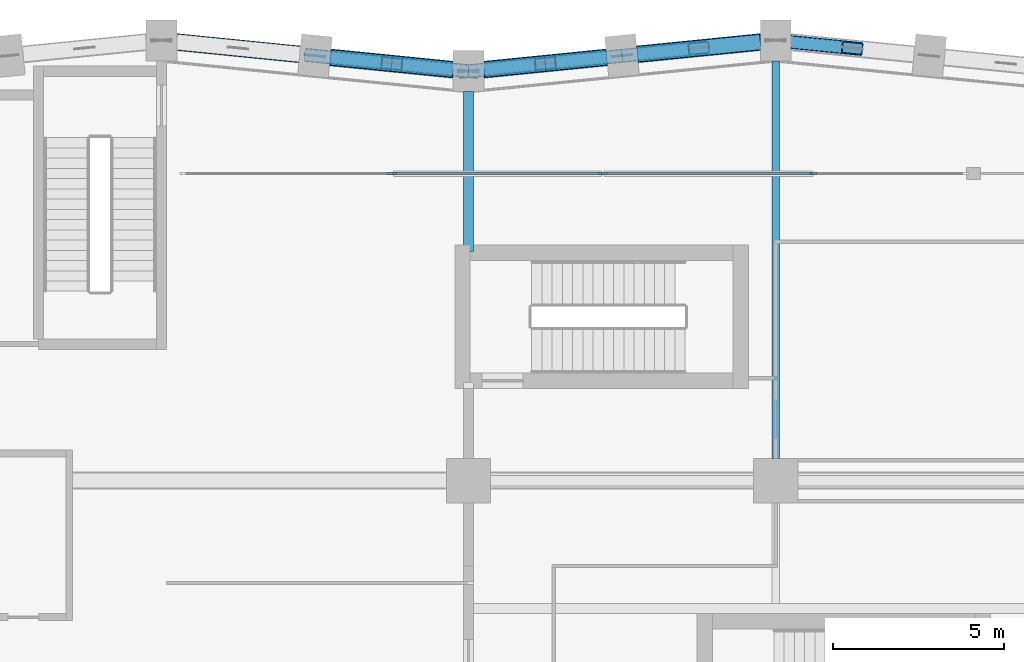
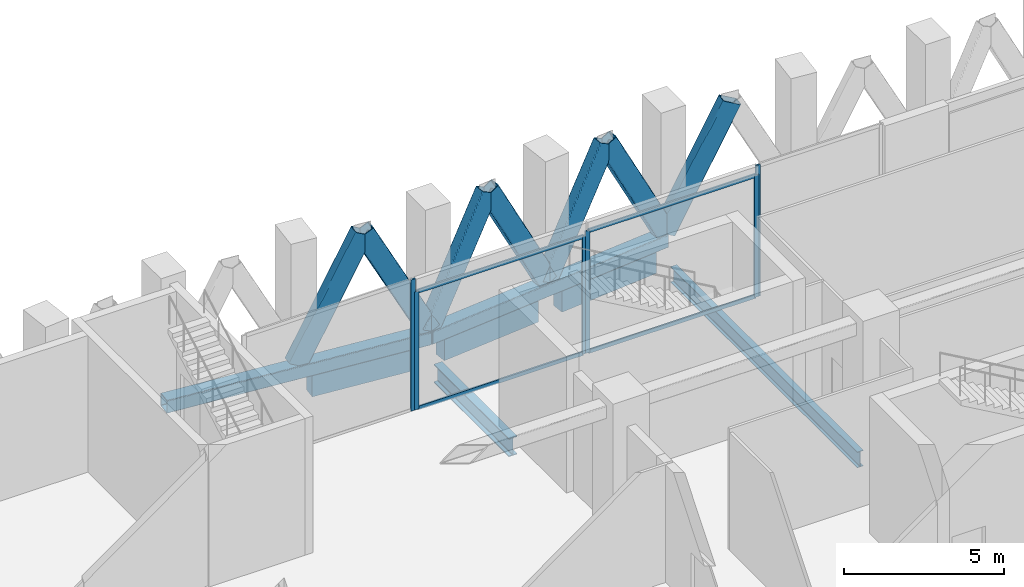
# One storey, part 15 of 37: 19 members, 5 beams, 4 elements without a shape of their own.
"""IFC4 building model written with IfcOpenShell, lengths in metres."""

from ifc_helpers import new_model, si_unit, direction, frame, origin, origin_2d, place, context, subcontext, project, spatial, rectangle, hollow_rectangle, i_section, extrude, material, material_profile, profile_set, type_object, element, aggregate, save


model = new_model("IFC4")

# Units and contexts
model_context = context("Model", 3, precision=1e-05, world=origin(), true_north=direction((0.0, 1.0)))
body_context = subcontext(model_context, "Body", "Model", "MODEL_VIEW")
ifc_project = project(units=[si_unit("LENGTHUNIT", "METRE"), si_unit("AREAUNIT", "SQUARE_METRE"), si_unit("VOLUMEUNIT", "CUBIC_METRE"), si_unit("PLANEANGLEUNIT", "RADIAN"), si_unit("MASSUNIT", "GRAM", prefix="KILO")], contexts=[model_context])

# Site, building, storey
site_placement = place(None, origin())
site = spatial("IfcSite", under=ifc_project, at=site_placement, CompositionType="ELEMENT")
building_placement = place(site_placement, origin())
building = spatial("IfcBuilding", under=site, at=building_placement, Name="Brondeck Convention Tower", CompositionType="ELEMENT")
storey_placement = place(building_placement, frame((0.0, 0.0, 137.89990234375)))
storey = spatial("IfcBuildingStorey", under=building, at=storey_placement, Name="L33", CompositionType="ELEMENT", Elevation=137.89990234375)

# Curtain wall, member
ifc_material_1 = material(Name="Aluminium, bronze anodised", Category="aluminium")
curtain_wall_type = type_object("IfcCurtainWallType", Name="Sky lobby curtain wall", PredefinedType="NOTDEFINED", material=ifc_material_1)
curtain_wall_1_placement = place(storey_placement, origin())
curtain_wall_1 = element("IfcCurtainWall", 1, at=curtain_wall_1_placement, inside=storey, type_object=curtain_wall_type, Name="ENV-L33-027-CW30", PredefinedType="NOTDEFINED")
ifc_material_profile_1 = material_profile(ifc_material_1, rectangle(XDim=0.06005859375, YDim=0.159912109375, at=origin_2d()), Name="CW3 mullion")
ifc_profile_set_1 = profile_set([ifc_material_profile_1], Name="Aluminium, bronze anodised")
member_type_1 = type_object("IfcMemberType", Name="CW3 mullion", PredefinedType="MULLION", material=ifc_profile_set_1)
member_1_placement = place(storey_placement, frame((46.1298828125, 60.0, 0.0), z_axis=(0.0, 0.0, 1.0), x_axis=(0.0, 1.0, 0.0)))
member_1 = element("IfcMember", 2, at=member_1_placement, type_object=member_type_1, Name="CW3 mullion 1", PredefinedType="MULLION", context=body_context, shape_type="SweptSolid", body=[
    extrude(rectangle(XDim=0.06005859375, YDim=0.159912109375, at=origin_2d()), origin(), (0.0, 0.0, 1.0), 5.0),
])
aggregate(curtain_wall_1, [member_1])

# Curtain wall, members
curtain_wall_2_placement = place(storey_placement, origin())
curtain_wall_2 = element("IfcCurtainWall", 3, at=curtain_wall_2_placement, inside=storey, type_object=curtain_wall_type, Name="ENV-L33-028-CW30", PredefinedType="NOTDEFINED")
member_2_placement = place(storey_placement, frame((39.993408203125, 60.0, 0.0), z_axis=(0.0, 0.0, 1.0), x_axis=(0.0, 1.0, 0.0)))
member_2 = element("IfcMember", 4, at=member_2_placement, type_object=member_type_1, Name="CW3 mullion 1", PredefinedType="MULLION", context=body_context, shape_type="SweptSolid", body=[
    extrude(rectangle(XDim=0.06005859375, YDim=0.159912109375, at=origin_2d()), origin(), (0.0, 0.0, 1.0), 4.650146484375),
])
member_3_placement = place(storey_placement, frame((46.070068359375, 60.0, 0.0), z_axis=(0.0, 0.0, 1.0), x_axis=(0.0, 1.0, 0.0)))
member_3 = element("IfcMember", 5, at=member_3_placement, type_object=member_type_1, Name="CW3 mullion 2", PredefinedType="MULLION", context=body_context, shape_type="SweptSolid", body=[
    extrude(rectangle(XDim=0.06005859375, YDim=0.159912109375, at=origin_2d()), origin(), (0.0, 0.0, 1.0), 4.650146484375),
])

curtain_wall_3_placement = place(storey_placement, origin())
curtain_wall_3 = element("IfcCurtainWall", 6, at=curtain_wall_3_placement, inside=storey, type_object=curtain_wall_type, Name="ENV-L33-028-CW31", PredefinedType="NOTDEFINED")
member_4_placement = place(storey_placement, frame((33.82666015625, 60.0, 0.0), z_axis=(0.0, 0.0, 1.0), x_axis=(0.0, 1.0, 0.0)))
member_4 = element("IfcMember", 7, at=member_4_placement, type_object=member_type_1, Name="CW3 mullion 1", PredefinedType="MULLION", context=body_context, shape_type="SweptSolid", body=[
    extrude(rectangle(XDim=0.06005859375, YDim=0.159912109375, at=origin_2d()), origin(), (0.0, 0.0, 1.0), 4.5),
])
member_5_placement = place(storey_placement, frame((39.873291015625, 60.0, 0.0), z_axis=(0.0, 0.0, 1.0), x_axis=(0.0, 1.0, 0.0)))
member_5 = element("IfcMember", 8, at=member_5_placement, type_object=member_type_1, Name="CW3 mullion 2", PredefinedType="MULLION", context=body_context, shape_type="SweptSolid", body=[
    extrude(rectangle(XDim=0.06005859375, YDim=0.159912109375, at=origin_2d()), origin(), (0.0, 0.0, 1.0), 4.5),
])

# Curtain wall, member
curtain_wall_4_placement = place(storey_placement, origin())
curtain_wall_4 = element("IfcCurtainWall", 9, at=curtain_wall_4_placement, inside=storey, type_object=curtain_wall_type, Name="ENV-L33-028-CW32", PredefinedType="NOTDEFINED")
member_6_placement = place(storey_placement, frame((33.706787109375, 60.0, 0.0), z_axis=(0.0, 0.0, 1.0), x_axis=(0.0, 1.0, 0.0)))
member_6 = element("IfcMember", 10, at=member_6_placement, type_object=member_type_1, Name="CW3 mullion 2", PredefinedType="MULLION", context=body_context, shape_type="SweptSolid", body=[
    extrude(rectangle(XDim=0.06005859375, YDim=0.159912109375, at=origin_2d()), origin(), (0.0, 0.0, 1.0), 5.0),
])
aggregate(curtain_wall_4, [member_6])

# Member
ifc_material_profile_2 = material_profile(ifc_material_1, rectangle(XDim=0.06005859375, YDim=0.139892578125, at=origin_2d()), Name="CW3 transom")
ifc_profile_set_2 = profile_set([ifc_material_profile_2], Name="Aluminium, bronze anodised")
member_type_2 = type_object("IfcMemberType", Name="CW3 transom", PredefinedType="USERDEFINED", material=ifc_profile_set_2)
member_7_placement = place(storey_placement, frame((40.023193359375, 60.0, 0.030029296875), z_axis=(1.0, 0.0, 0.0), x_axis=(0.0, 1.0, 0.0)))
member_7 = element("IfcMember", 11, at=member_7_placement, type_object=member_type_2, Name="CW3 transom 1.1", ObjectType="TRANSOM", PredefinedType="USERDEFINED", context=body_context, shape_type="SweptSolid", body=[
    extrude(rectangle(XDim=0.06005859375, YDim=0.139892578125, at=origin_2d()), origin(), (0.0, 0.0, 1.0), 6.016845703125),
])

member_8_placement = place(storey_placement, frame((40.023193359375, 60.0, 4.6201171875), z_axis=(1.0, 0.0, 0.0), x_axis=(0.0, 1.0, 0.0)))
member_8 = element("IfcMember", 12, at=member_8_placement, type_object=member_type_2, Name="CW3 transom 1.2", ObjectType="TRANSOM", PredefinedType="USERDEFINED", context=body_context, shape_type="SweptSolid", body=[
    extrude(rectangle(XDim=0.06005859375, YDim=0.139892578125, at=origin_2d()), origin(), (0.0, 0.0, 1.0), 6.016845703125),
])

aggregate(curtain_wall_2, [member_2, member_3, member_7, member_8])

member_9_placement = place(storey_placement, frame((33.856689453125, 60.0, 0.030029296875), z_axis=(1.0, 0.0, 0.0), x_axis=(0.0, 1.0, 0.0)))
member_9 = element("IfcMember", 13, at=member_9_placement, type_object=member_type_2, Name="CW3 transom 1.1", ObjectType="TRANSOM", PredefinedType="USERDEFINED", context=body_context, shape_type="SweptSolid", body=[
    extrude(rectangle(XDim=0.06005859375, YDim=0.139892578125, at=origin_2d()), origin(), (0.0, 0.0, 1.0), 5.986572265625),
])

member_10_placement = place(storey_placement, frame((33.856689453125, 60.0, 4.47021484375), z_axis=(1.0, 0.0, 0.0), x_axis=(0.0, 1.0, 0.0)))
member_10 = element("IfcMember", 14, at=member_10_placement, type_object=member_type_2, Name="CW3 transom 1.2", ObjectType="TRANSOM", PredefinedType="USERDEFINED", context=body_context, shape_type="SweptSolid", body=[
    extrude(rectangle(XDim=0.06005859375, YDim=0.139892578125, at=origin_2d()), origin(), (0.0, 0.0, 1.0), 5.986572265625),
])

aggregate(curtain_wall_3, [member_4, member_5, member_9, member_10])

# Members
ifc_material_2 = material(Name="Steel S460", Category="steel")
ifc_material_profile_3 = material_profile(ifc_material_2, hollow_rectangle(XDim=0.39990234375, YDim=0.699951171875, WallThickness=0.030029296875, InnerFilletRadius=0.030029296875, OuterFilletRadius=0.06005859375, at=origin_2d()), Name="RHS 700x400x30")
ifc_profile_set_3 = profile_set([ifc_material_profile_3], Name="Steel S460")
member_type_3 = type_object("IfcMemberType", Name="Chevron brace RHS 700x400x30", PredefinedType="BRACE", material=ifc_profile_set_3)
for number, where, z_axis, x_axis, name in (
    (15, (45.0, 63.89990234375, 0.5), (0.458931352356, -0.045863256892, 0.887287200117), (0.099439578731, 0.995043602151, 0.0), "Belt truss BT-33-35 diagonal"),
    (16, (45.0, 63.89990234375, 0.5), (-0.458931352356, -0.045863256892, 0.887287200117), (0.099439578731, -0.995043602151, 0.0), "Belt truss BT-33-36 diagonal"),
    (17, (40.5, 63.449951171875, 0.5), (0.458930303654, 0.045912949215, 0.887285172581), (-0.099546478526, 0.995032913332, 0.0), "Belt truss BT-33-36 diagonal"),
    (18, (40.5, 63.449951171875, 0.5), (-0.458931352356, -0.045863256892, 0.887287200117), (0.099439578731, -0.995043602151, 0.0), "Belt truss BT-33-37 diagonal"),
    (19, (36.0, 63.0, 0.5), (0.458930303654, 0.045912949215, 0.887285172581), (-0.099546478526, 0.995032913332, 0.0), "Belt truss BT-33-37 diagonal"),
    (20, (36.0, 63.0, 0.5), (-0.458930303654, 0.045912949215, 0.887285172581), (-0.099546478526, -0.995032913332, 0.0), "Belt truss BT-33-38 diagonal"),
    (21, (31.5, 63.449951171875, 0.5), (0.458931352356, -0.045863256892, 0.887287200117), (0.099439578731, 0.995043602151, 0.0), "Belt truss BT-33-38 diagonal"),
):
    element("IfcMember", number, at=place(storey_placement, frame(where, z_axis=z_axis, x_axis=x_axis)), inside=storey, type_object=member_type_3, Name=name, PredefinedType="BRACE", context=body_context, shape_type="SweptSolid", body=[
        extrude(hollow_rectangle(XDim=0.39990234375, YDim=0.699951171875, WallThickness=0.030029296875, InnerFilletRadius=0.030029296875, OuterFilletRadius=0.06005859375, at=origin_2d()), origin(), (0.0, 0.0, 1.0), 4.902587890625),
    ])

# Beams
ifc_material_3 = material(Name="Steel S355", Category="steel")
ifc_material_profile_4 = material_profile(ifc_material_3, i_section(OverallWidth=0.219970703125, OverallDepth=0.60009765625, WebThickness=0.011962890625, FlangeThickness=0.01904296875, FilletRadius=0.02392578125, at=origin_2d()), Name="IPE 600")
ifc_profile_set_4 = profile_set([ifc_material_profile_4], Name="Steel S355")
beam_type_1 = type_object("IfcBeamType", Name="Floor beam IPE 600", PredefinedType="BEAM", material=ifc_profile_set_4)
beam_1_placement = place(storey_placement, frame((45.0, 51.64990234375, -0.75), z_axis=(0.0, 1.0, 0.0), x_axis=(-1.0, 0.0, 0.0)))
element("IfcBeam", 22, at=beam_1_placement, inside=storey, type_object=beam_type_1, Name="STR-FB-L33-002", PredefinedType="BEAM", context=body_context, shape_type="SweptSolid", body=[
    extrude(i_section(OverallWidth=0.219970703125, OverallDepth=0.60009765625, WebThickness=0.011962890625, FlangeThickness=0.01904296875, FilletRadius=0.02392578125, at=origin_2d()), origin(), (0.0, 0.0, 1.0), 11.650146484375),
])
ifc_material_profile_5 = material_profile(ifc_material_3, i_section(OverallWidth=0.300048828125, OverallDepth=0.699951171875, WebThickness=0.01708984375, FlangeThickness=0.031982421875, FilletRadius=0.027099609375, at=origin_2d()), Name="HEB 700")
ifc_profile_set_5 = profile_set([ifc_material_profile_5], Name="Steel S355")
beam_type_2 = type_object("IfcBeamType", Name="Girder HEB 700", PredefinedType="BEAM", material=ifc_profile_set_5)
beam_2_placement = place(storey_placement, frame((36.0, 57.719970703125, -0.7998046875), z_axis=(0.0, 1.0, 0.0), x_axis=(-1.0, 0.0, 0.0)))
element("IfcBeam", 23, at=beam_2_placement, inside=storey, type_object=beam_type_2, Name="STR-GR-L33-012", PredefinedType="BEAM", context=body_context, shape_type="SweptSolid", body=[
    extrude(i_section(OverallWidth=0.300048828125, OverallDepth=0.699951171875, WebThickness=0.01708984375, FlangeThickness=0.031982421875, FilletRadius=0.027099609375, at=origin_2d()), origin(), (0.0, 0.0, 1.0), 4.679931640625),
])
ifc_material_4 = material(Name="Concrete C70/85", Category="concrete")
ifc_material_profile_6 = material_profile(ifc_material_4, rectangle(XDim=0.449951171875, YDim=0.800048828125, at=origin_2d()), Name="Precast spandrel 450x800 Concrete C70/85")
ifc_profile_set_6 = profile_set([ifc_material_profile_6], Name="Concrete C70/85")
beam_type_3 = type_object("IfcBeamType", Name="Precast spandrel 450x800 Concrete C70/85", PredefinedType="SPANDREL", material=ifc_profile_set_6)
for number, where, z_axis, x_axis, name in (
    (24, (44.550048828125, 63.85498046875, -0.39990234375), (-0.995040528141, -0.099470334057, 0.0), (0.099470334057, -0.995040528141, 0.0), "STR-SP-L33-036"),
    (25, (40.05224609375, 63.4052734375, -0.39990234375), (-0.995033851182, -0.099537103649, 0.0), (0.099537103649, -0.995033851182, 0.0), "STR-SP-L33-037"),
    (26, (35.550048828125, 63.044921875, -0.39990234375), (-0.995033851182, 0.099537103649, 0.0), (-0.099537103649, -0.995033851182, 0.0), "STR-SP-L33-038"),
):
    element("IfcBeam", number, at=place(storey_placement, frame(where, z_axis=z_axis, x_axis=x_axis)), inside=storey, type_object=beam_type_3, Name=name, PredefinedType="SPANDREL", context=body_context, shape_type="SweptSolid", body=[
        extrude(rectangle(XDim=0.449951171875, YDim=0.800048828125, at=origin_2d()), origin(), (0.0, 0.0, 1.0), 3.620361328125),
    ])

# Members
ifc_material_profile_7 = material_profile(ifc_material_2, hollow_rectangle(XDim=0.5, YDim=0.5, WallThickness=0.02490234375, InnerFilletRadius=0.02490234375, OuterFilletRadius=0.050048828125, at=origin_2d()), Name="RHS 500x500x25")
ifc_profile_set_7 = profile_set([ifc_material_profile_7], Name="Steel S460")
member_type_4 = type_object("IfcMemberType", Name="Truss chord RHS 500x500x25", PredefinedType="CHORD", material=ifc_profile_set_7)
for number, where, z_axis, x_axis, name in (
    (27, (45.0, 63.89990234375, 0.25), (-0.995038259148, -0.099493029059, 0.0), (0.099493029059, -0.995038259148, 0.0), "Belt truss BT-33-19 chord"),
    (28, (36.0, 63.0, 0.25), (-0.995038259148, 0.099493029059, 0.0), (-0.099493029059, -0.995038259148, 0.0), "Belt truss BT-33-20 chord"),
):
    element("IfcMember", number, at=place(storey_placement, frame(where, z_axis=z_axis, x_axis=x_axis)), inside=storey, type_object=member_type_4, Name=name, PredefinedType="CHORD", context=body_context, shape_type="SweptSolid", body=[
        extrude(hollow_rectangle(XDim=0.5, YDim=0.5, WallThickness=0.02490234375, InnerFilletRadius=0.02490234375, OuterFilletRadius=0.050048828125, at=origin_2d()), origin(), (0.0, 0.0, 1.0), 9.044921875),
    ])

save(model, "model.ifc")
